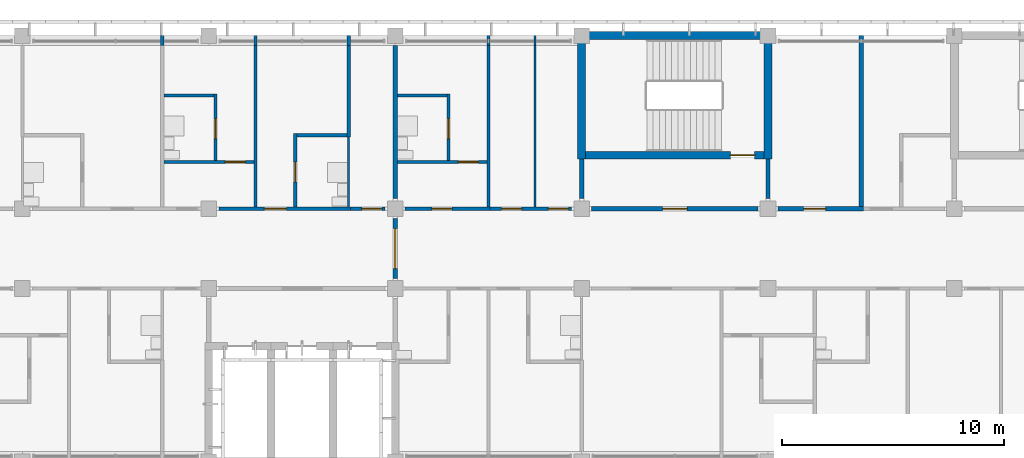
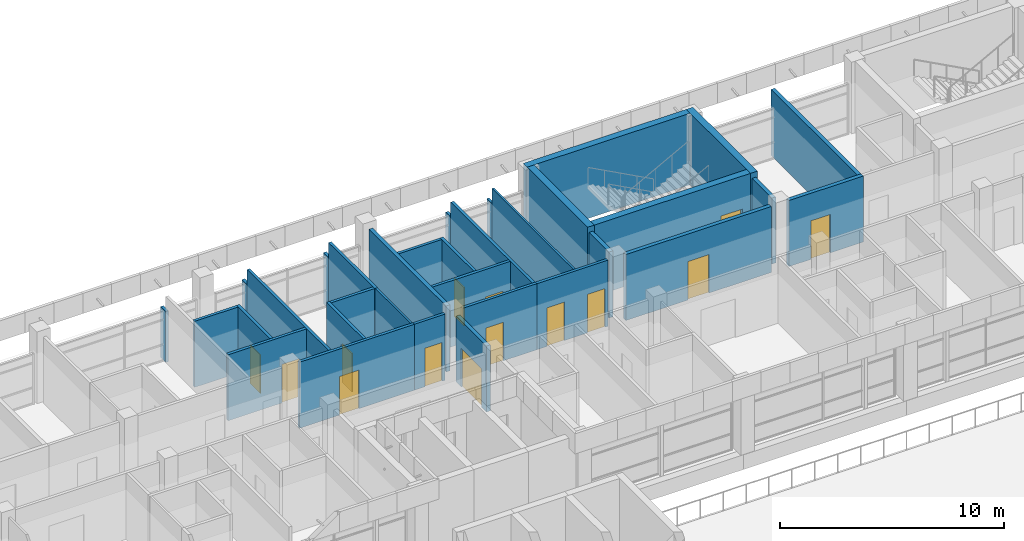
# One storey, part 21 of 46: 33 walls, 14 doors, 14 openings.
"""IFC4 building model written with IfcOpenShell, lengths in metres."""

import ifcopenshell
import ifcopenshell.guid

model = None  # the IFC model being written
_history = None  # IfcOwnerHistory: only IFC2X3 demands one
_inside = {}  # id of a spatial element -> (the spatial element, [elements in it])
_under = {}  # id of a project, library or spatial element -> (it, [spatial elements below it])
_declared = {}  # id of a project -> (the project, [libraries it declares])
_typed = {}  # id of a type object -> (the type object, [elements of that type])
_made_of = {}  # id of a material, layer set ... -> (it, [elements and type objects made of it])


def new_model(schema):
    """Start an empty IFC model of exactly this schema.

    Asked for "IFC4X3", IfcOpenShell would pick the latest addendum, in which some entities
    have other attributes; the version numbers below select the first issue.
    IFC2X3 requires an IfcOwnerHistory on every rooted entity: one is made here for all.
    """
    global model, _history
    if schema == "IFC4X3":
        model = ifcopenshell.file(schema_version=(4, 3, 0, 0))
    else:
        model = ifcopenshell.file(schema=schema)
    _inside.clear()
    _under.clear()
    _declared.clear()
    _typed.clear()
    _made_of.clear()
    _history = None
    if model.schema == "IFC2X3":
        org = make("IfcOrganization", Name="unknown")
        user = make(
            "IfcPersonAndOrganization",
            ThePerson=make("IfcPerson", FamilyName="unknown"),
            TheOrganization=org,
        )
        app = make(
            "IfcApplication",
            ApplicationDeveloper=org,
            Version="unknown",
            ApplicationFullName="unknown",
            ApplicationIdentifier="unknown",
        )
        _history = make(
            "IfcOwnerHistory",
            OwningUser=user,
            OwningApplication=app,
            ChangeAction="ADDED",
            CreationDate=0,
        )
    return model


def make(cls, **values):
    """One entity of the class cls with the attributes given. An attribute that is None is left unset."""
    return model.create_entity(
        cls, **{name: value for name, value in values.items() if value is not None}
    )


def rooted(cls, **values):
    """An entity with a GlobalId (a new one), such as an element, a storey or a relation."""
    return make(cls, GlobalId=ifcopenshell.guid.new(), OwnerHistory=_history, **values)


def si_unit(unit_type, name, prefix=None):
    """IfcSIUnit, for example si_unit("LENGTHUNIT", "METRE", prefix="MILLI")."""
    return make("IfcSIUnit", UnitType=unit_type, Prefix=prefix, Name=name)


def assignment(units):
    """IfcUnitAssignment: the units of a project."""
    return None if units is None else make("IfcUnitAssignment", Units=units)


def point(xyz):
    """IfcCartesianPoint."""
    return None if xyz is None else make("IfcCartesianPoint", Coordinates=xyz)


def direction(xyz):
    """IfcDirection."""
    return None if xyz is None else make("IfcDirection", DirectionRatios=xyz)


def frame(location, z_axis=None, x_axis=None):
    """IfcAxis2Placement3D, a coordinate frame: its origin and axes. An axis left out is left unset."""
    return make(
        "IfcAxis2Placement3D",
        Location=point(location),
        Axis=direction(z_axis),
        RefDirection=direction(x_axis),
    )


def frame_2d(location, x_axis=None):
    """IfcAxis2Placement2D, a coordinate frame in the plane: its origin and x axis."""
    return make(
        "IfcAxis2Placement2D", Location=point(location), RefDirection=direction(x_axis)
    )


def origin():
    """The frame at (0, 0, 0) with its axes left unset."""
    return frame((0.0, 0.0, 0.0))


def place(relative_to, where):
    """IfcLocalPlacement: puts the frame where relative to a parent placement (None: the world)."""
    return make(
        "IfcLocalPlacement", PlacementRelTo=relative_to, RelativePlacement=where
    )


def context(
    kind, dimensions, precision=None, world=None, true_north=None, identifier=None
):
    """IfcGeometricRepresentationContext, for example the 3D "Model" context."""
    return make(
        "IfcGeometricRepresentationContext",
        ContextIdentifier=identifier,
        ContextType=kind,
        CoordinateSpaceDimension=dimensions,
        Precision=precision,
        WorldCoordinateSystem=world,
        TrueNorth=true_north,
    )


def subcontext(parent, identifier, kind, view, scale=None):
    """IfcGeometricRepresentationSubContext, for example "Body" below "Model"."""
    return make(
        "IfcGeometricRepresentationSubContext",
        ContextIdentifier=identifier,
        ContextType=kind,
        ParentContext=parent,
        TargetScale=scale,
        TargetView=view,
    )


def project(units=None, contexts=None):
    """IfcProject with its units and contexts."""
    return rooted(
        "IfcProject",
        Name="project",
        RepresentationContexts=contexts,
        UnitsInContext=assignment(units),
    )


def spatial(cls, under=None, at=None, **own):
    """A site, building, storey or space (cls), placed at a placement, below another one or the project."""
    s = rooted(cls, ObjectPlacement=at, **own)
    if under is not None:
        _under.setdefault(under.id(), (under, []))[1].append(s)
    return s


def profile(cls, at=None, kind="AREA", **sizes):
    """A parametric profile (cls). Its sizes go by their IFC names, for example OverallWidth=200.0."""
    return make(cls, ProfileType=kind, Position=at, **sizes)


def rectangle(**sizes):
    """IfcRectangleProfileDef."""
    return profile("IfcRectangleProfileDef", **sizes)


def extrude(swept, where, along, depth):
    """IfcExtrudedAreaSolid: the profile swept, set in the frame where, extruded along a direction by depth."""
    return make(
        "IfcExtrudedAreaSolid",
        SweptArea=swept,
        Position=where,
        ExtrudedDirection=direction(along),
        Depth=depth,
    )


def shape(context_of_items, identifier, shape_type, items):
    """IfcShapeRepresentation: the items that make up one representation, for example the "Body"."""
    return make(
        "IfcShapeRepresentation",
        ContextOfItems=context_of_items,
        RepresentationIdentifier=identifier,
        RepresentationType=shape_type,
        Items=items,
    )


def material(Name=None, Category=None):
    """IfcMaterial."""
    return make("IfcMaterial", Name=Name, Category=Category)


def layer(
    of_material, thickness, ventilated=None, Name=None, Category=None, Priority=None
):
    """IfcMaterialLayer: one layer of a wall or slab, of a material (None: an air gap)."""
    return make(
        "IfcMaterialLayer",
        Material=of_material,
        LayerThickness=thickness,
        IsVentilated=ventilated,
        Name=Name,
        Category=Category,
        Priority=Priority,
    )


def layer_set(layers, Name=None):
    """IfcMaterialLayerSet."""
    return make("IfcMaterialLayerSet", MaterialLayers=layers, LayerSetName=Name)


def made_of(thing, what):
    """Note that an element or type object is made of a material, layer set ...; save() writes the relation."""
    if what is not None:
        _made_of.setdefault(what.id(), (what, []))[1].append(thing)
    return thing


def type_object(cls, material=None, **own):
    """A type object (cls), such as IfcWallType, which elements share."""
    return made_of(rooted(cls, **own), material)


def element(
    cls,
    number,
    at=None,
    inside=None,
    cuts=None,
    type_object=None,
    material=None,
    context=None,
    identifier="Body",
    shape_type=None,
    held_by="IfcProductDefinitionShape",
    body=None,
    shapes=None,
    **own,
):
    """One element of the class cls, such as IfcWall. Its Tag is "e" and its number.

    at: its placement. inside: the storey or other place that contains it. cuts: it is an
    opening in that element (IfcRelVoidsElement). A single representation is given by context,
    identifier, shape_type and body (its items); several are given by shapes. held_by: the class
    of the entity that holds the representations. save() writes the other relations.
    """
    e = rooted(cls, Tag="e%d" % number, ObjectPlacement=at, **own)
    if body is not None:
        shapes = [shape(context, identifier, shape_type, body)]
    if shapes is not None:
        e.Representation = make(held_by, Representations=shapes)
    if inside is not None:
        _inside.setdefault(inside.id(), (inside, []))[1].append(e)
    if cuts is not None:
        rooted(
            "IfcRelVoidsElement", RelatingBuildingElement=cuts, RelatedOpeningElement=e
        )
    if type_object is not None:
        _typed.setdefault(type_object.id(), (type_object, []))[1].append(e)
    return made_of(e, material)


def fill(opening, filler):
    """IfcRelFillsElement: the door or window that sits in an opening."""
    return rooted(
        "IfcRelFillsElement",
        RelatingOpeningElement=opening,
        RelatedBuildingElement=filler,
    )


def aggregate(whole, parts):
    """IfcRelAggregates: a whole, such as a stair, and the parts it consists of."""
    return rooted("IfcRelAggregates", RelatingObject=whole, RelatedObjects=parts)


def save(model, path):
    """Write the relations noted so far, then the file.

    IfcRelAggregates (storeys below a building ...), IfcRelContainedInSpatialStructure (elements
    in a storey), IfcRelDefinesByType, IfcRelAssociatesMaterial and IfcRelDeclares: one each for
    every whole, place, type object, material and project.
    """
    for whole, parts in _under.values():
        aggregate(whole, parts)
    for where, things in _inside.values():
        rooted(
            "IfcRelContainedInSpatialStructure",
            RelatedElements=things,
            RelatingStructure=where,
        )
    for kind, things in _typed.values():
        rooted("IfcRelDefinesByType", RelatedObjects=things, RelatingType=kind)
    for what, things in _made_of.values():
        rooted("IfcRelAssociatesMaterial", RelatedObjects=things, RelatingMaterial=what)
    for by, libraries in _declared.values():
        rooted("IfcRelDeclares", RelatingContext=by, RelatedDefinitions=libraries)
    model.write(path)


model = new_model("IFC4")

# Units and contexts
model_context = context("Model", 3, precision=1e-05, world=origin(), true_north=direction((0.0, 1.0)))
body_context = subcontext(model_context, "Body", "Model", "MODEL_VIEW")
ifc_project = project(units=[si_unit("LENGTHUNIT", "METRE"), si_unit("AREAUNIT", "SQUARE_METRE"), si_unit("VOLUMEUNIT", "CUBIC_METRE"), si_unit("PLANEANGLEUNIT", "RADIAN"), si_unit("MASSUNIT", "GRAM", prefix="KILO")], contexts=[model_context])

# Site, building, storey
site_placement = place(None, origin())
site = spatial("IfcSite", under=ifc_project, at=site_placement, CompositionType="ELEMENT")
building_placement = place(site_placement, origin())
building = spatial("IfcBuilding", under=site, at=building_placement, Name="Bougainvillea Quay General Hospital", CompositionType="ELEMENT")
storey_placement = place(building_placement, frame((0.0, 0.0, 28.800048828125)))
storey = spatial("IfcBuildingStorey", under=building, at=storey_placement, Name="L06", CompositionType="ELEMENT", Elevation=28.800048828125)

# Walls
ifc_material_1 = material(Name="Gypsum board partition on steel studs", Category="steel")
ifc_layer_1 = layer(ifc_material_1, 0.10009765625)
ifc_layer_set_1 = layer_set([ifc_layer_1], Name="Gypsum board partition on steel studs")
wall_type_1 = type_object("IfcWallType", Name="Partition 100 Gypsum board partition", PredefinedType="PARTITIONING", material=ifc_layer_set_1)
wall_1_placement = place(storey_placement, frame((81.89990234375, 151.875, 0.0), z_axis=(0.0, 0.0, 1.0), x_axis=(0.0, 1.0, 0.0)))
element("IfcWall", 1, at=wall_1_placement, inside=storey, type_object=wall_type_1, Name="Partition 100 mm", PredefinedType="PARTITIONING", context=body_context, shape_type="SweptSolid", body=[
    extrude(rectangle(XDim=7.27490234375, YDim=0.10009765625, at=frame_2d((3.637451171875, 0.0))), origin(), (0.0, 0.0, 1.0), 3.599853515625),
])
wall_2_placement = place(storey_placement, frame((81.89990234375, 159.14990234375, 0.0), z_axis=(0.0, 0.0, 1.0), x_axis=(0.0, 1.0, 0.0)))
element("IfcWall", 2, at=wall_2_placement, inside=storey, type_object=wall_type_1, Name="Partition 100 mm", PredefinedType="PARTITIONING", context=body_context, shape_type="SweptSolid", body=[
    extrude(rectangle(XDim=0.4501953125, YDim=0.10009765625, at=frame_2d((0.22509765625, 0.0))), origin(), (0.0, 0.0, 1.0), 2.780029296875),
])
wall_3_placement = place(storey_placement, frame((73.5, 151.875, 0.0), z_axis=(0.0, 0.0, 1.0), x_axis=(0.0, 1.0, 0.0)))
element("IfcWall", 3, at=wall_3_placement, inside=storey, type_object=wall_type_1, Name="Partition 100 mm", PredefinedType="PARTITIONING", context=body_context, shape_type="SweptSolid", body=[
    extrude(rectangle(XDim=3.14990234375, YDim=0.10009765625, at=frame_2d((1.574951171875, 0.0))), origin(), (0.0, 0.0, 1.0), 3.599853515625),
])
ifc_material_2 = material(Name="Gypsum board partition on steel studs, insulated", Category="steel")
ifc_layer_2 = layer(ifc_material_2, 0.14990234375)
ifc_layer_set_2 = layer_set([ifc_layer_2], Name="Gypsum board partition on steel studs, insulated")
wall_type_2 = type_object("IfcWallType", Name="Partition 150 Gypsum board partition", PredefinedType="PARTITIONING", material=ifc_layer_set_2)
wall_4_placement = place(storey_placement, frame((65.10009765625, 159.60009765625, 0.0), z_axis=(0.0, 0.0, 1.0), x_axis=(0.0, -1.0, 0.0)))
element("IfcWall", 4, at=wall_4_placement, inside=storey, type_object=wall_type_2, Name="Partition 150 mm", PredefinedType="PARTITIONING", context=body_context, shape_type="SweptSolid", body=[
    extrude(rectangle(XDim=0.4501953125, YDim=0.14990234375, at=frame_2d((0.22509765625, 0.0))), origin(), (0.0, 0.0, 1.0), 2.780029296875),
])
wall_5_placement = place(storey_placement, frame((69.300048828125, 151.875, 0.0), z_axis=(0.0, 0.0, 1.0), x_axis=(0.0, 1.0, 0.0)))
element("IfcWall", 5, at=wall_5_placement, inside=storey, type_object=wall_type_2, Name="Partition 150 mm", PredefinedType="PARTITIONING", context=body_context, shape_type="SweptSolid", body=[
    extrude(rectangle(XDim=7.27490234375, YDim=0.14990234375, at=frame_2d((3.637451171875, 0.0))), origin(), (0.0, 0.0, 1.0), 3.599853515625),
])
wall_6_placement = place(storey_placement, frame((69.300048828125, 159.14990234375, 0.0), z_axis=(0.0, 0.0, 1.0), x_axis=(0.0, 1.0, 0.0)))
element("IfcWall", 6, at=wall_6_placement, inside=storey, type_object=wall_type_2, Name="Partition 150 mm", PredefinedType="PARTITIONING", context=body_context, shape_type="SweptSolid", body=[
    extrude(rectangle(XDim=0.4501953125, YDim=0.14990234375, at=frame_2d((0.22509765625, 0.0))), origin(), (0.0, 0.0, 1.0), 2.780029296875),
])
wall_7_placement = place(storey_placement, frame((79.800048828125, 151.875, 0.0), z_axis=(0.0, 0.0, 1.0), x_axis=(0.0, 1.0, 0.0)))
element("IfcWall", 7, at=wall_7_placement, inside=storey, type_object=wall_type_2, Name="Partition 150 mm", PredefinedType="PARTITIONING", context=body_context, shape_type="SweptSolid", body=[
    extrude(rectangle(XDim=7.27490234375, YDim=0.14990234375, at=frame_2d((3.637451171875, 0.0))), origin(), (0.0, 0.0, 1.0), 3.599853515625),
])
wall_8_placement = place(storey_placement, frame((79.800048828125, 159.14990234375, 0.0), z_axis=(0.0, 0.0, 1.0), x_axis=(0.0, 1.0, 0.0)))
element("IfcWall", 8, at=wall_8_placement, inside=storey, type_object=wall_type_2, Name="Partition 150 mm", PredefinedType="PARTITIONING", context=body_context, shape_type="SweptSolid", body=[
    extrude(rectangle(XDim=0.4501953125, YDim=0.14990234375, at=frame_2d((0.22509765625, 0.0))), origin(), (0.0, 0.0, 1.0), 2.780029296875),
])
wall_9_placement = place(storey_placement, frame((73.5, 155.02490234375, 0.0), z_axis=(0.0, 0.0, 1.0), x_axis=(0.0, 1.0, 0.0)))
element("IfcWall", 9, at=wall_9_placement, inside=storey, type_object=wall_type_2, Name="Partition 150 mm", PredefinedType="PARTITIONING", context=body_context, shape_type="SweptSolid", body=[
    extrude(rectangle(XDim=4.125, YDim=0.14990234375, at=frame_2d((2.0625, 0.0))), origin(), (0.0, 0.0, 1.0), 3.599853515625),
])
wall_10_placement = place(storey_placement, frame((73.5, 159.14990234375, 0.0), z_axis=(0.0, 0.0, 1.0), x_axis=(0.0, 1.0, 0.0)))
element("IfcWall", 10, at=wall_10_placement, inside=storey, type_object=wall_type_2, Name="Partition 150 mm", PredefinedType="PARTITIONING", context=body_context, shape_type="SweptSolid", body=[
    extrude(rectangle(XDim=0.4501953125, YDim=0.14990234375, at=frame_2d((0.22509765625, 0.0))), origin(), (0.0, 0.0, 1.0), 2.780029296875),
])

# Wall, opening, door
wall_11_placement = place(storey_placement, frame((65.175048828125, 153.89990234375, 0.0), z_axis=(0.0, 0.0, 1.0), x_axis=(1.0, 0.0, 0.0)))
wall_11 = element("IfcWall", 11, at=wall_11_placement, inside=storey, type_object=wall_type_2, Name="Partition 150 mm", PredefinedType="PARTITIONING", context=body_context, shape_type="SweptSolid", body=[
    extrude(rectangle(XDim=4.050048828125, YDim=0.14990234375, at=frame_2d((2.02490234375, 0.0))), origin(), (0.0, 0.0, 1.0), 3.599853515625),
])
opening_1_placement = place(wall_11_placement, frame((2.77490234375, 0.0, 0.0)))
opening_1 = element("IfcOpeningElement", 12, at=opening_1_placement, cuts=wall_11, Name="Opening L06.019", PredefinedType="OPENING", context=body_context, shape_type="SweptSolid", body=[
    extrude(rectangle(XDim=0.89990234375, YDim=2.10009765625, at=frame_2d((0.449951171875, 1.050048828125))), frame((0.0, 0.0849609375, 0.0), z_axis=(0.0, -1.0, 0.0), x_axis=(1.0, 0.0, 0.0)), (0.0, 0.0, 1.0), 0.169921875),
])
ifc_material_3 = material(Name="Solid-core timber door leaf in steel frame", Category="steel")
door_type_1 = type_object("IfcDoorType", Name="Single leaf door 900x2100 FD30S", OperationType="NOTDEFINED", PredefinedType="DOOR", material=ifc_material_3)
door_1_placement = place(opening_1_placement, origin())
door_1 = element("IfcDoor", 13, at=door_1_placement, inside=storey, type_object=door_type_1, Name="DT16 L06.019", OperationType="SINGLE_SWING_RIGHT", OverallHeight=2.10009765625, OverallWidth=0.89990234375, PredefinedType="DOOR", context=body_context, shape_type="SweptSolid", body=[
    extrude(rectangle(XDim=0.89990234375, YDim=2.10009765625, at=frame_2d((0.449951171875, 1.050048828125))), frame((0.0, 0.02490234375, 0.0), z_axis=(0.0, -1.0, 0.0), x_axis=(1.0, 0.0, 0.0)), (0.0, 0.0, 1.0), 0.050048828125),
])
fill(opening_1, door_1)

wall_12_placement = place(storey_placement, frame((75.699951171875, 153.89990234375, 0.0), z_axis=(0.0, 0.0, 1.0), x_axis=(1.0, 0.0, 0.0)))
wall_12 = element("IfcWall", 14, at=wall_12_placement, inside=storey, type_object=wall_type_2, Name="Partition 150 mm", PredefinedType="PARTITIONING", context=body_context, shape_type="SweptSolid", body=[
    extrude(rectangle(XDim=4.025146484375, YDim=0.14990234375, at=frame_2d((2.0126953125, 0.0))), origin(), (0.0, 0.0, 1.0), 3.599853515625),
])
opening_2_placement = place(wall_12_placement, frame((2.75, 0.0, 0.0)))
opening_2 = element("IfcOpeningElement", 15, at=opening_2_placement, cuts=wall_12, Name="Opening L06.038", PredefinedType="OPENING", context=body_context, shape_type="SweptSolid", body=[
    extrude(rectangle(XDim=0.89990234375, YDim=2.10009765625, at=frame_2d((0.449951171875, 1.050048828125))), frame((0.0, 0.0849609375, 0.0), z_axis=(0.0, -1.0, 0.0), x_axis=(1.0, 0.0, 0.0)), (0.0, 0.0, 1.0), 0.169921875),
])
door_2_placement = place(opening_2_placement, origin())
door_2 = element("IfcDoor", 16, at=door_2_placement, inside=storey, type_object=door_type_1, Name="DT16 L06.038", OperationType="SINGLE_SWING_RIGHT", OverallHeight=2.10009765625, OverallWidth=0.89990234375, PredefinedType="DOOR", context=body_context, shape_type="SweptSolid", body=[
    extrude(rectangle(XDim=0.89990234375, YDim=2.10009765625, at=frame_2d((0.449951171875, 1.050048828125))), frame((0.0, 0.02490234375, 0.0), z_axis=(0.0, -1.0, 0.0), x_axis=(1.0, 0.0, 0.0)), (0.0, 0.0, 1.0), 0.050048828125),
])
fill(opening_2, door_2)

wall_13_placement = place(storey_placement, frame((71.10009765625, 151.875, 0.0), z_axis=(0.0, 0.0, 1.0), x_axis=(0.0, 1.0, 0.0)))
wall_13 = element("IfcWall", 17, at=wall_13_placement, inside=storey, type_object=wall_type_2, Name="Partition 150 mm", PredefinedType="PARTITIONING", context=body_context, shape_type="SweptSolid", body=[
    extrude(rectangle(XDim=3.300048828125, YDim=0.14990234375, at=frame_2d((1.64990234375, 0.0))), origin(), (0.0, 0.0, 1.0), 3.599853515625),
])
opening_3_placement = place(wall_13_placement, frame((1.125, 0.0, 0.0)))
opening_3 = element("IfcOpeningElement", 18, at=opening_3_placement, cuts=wall_13, Name="Opening L06.022", PredefinedType="OPENING", context=body_context, shape_type="SweptSolid", body=[
    extrude(rectangle(XDim=0.89990234375, YDim=2.10009765625, at=frame_2d((0.449951171875, 1.050048828125))), frame((0.0, 0.0849609375, 0.0), z_axis=(0.0, -1.0, 0.0), x_axis=(1.0, 0.0, 0.0)), (0.0, 0.0, 1.0), 0.169921875),
])
door_type_2 = type_object("IfcDoorType", Name="Single leaf door 900x2100", OperationType="NOTDEFINED", PredefinedType="DOOR", material=ifc_material_3)
door_3_placement = place(opening_3_placement, frame((0.89990234375, 0.0, 0.0), z_axis=(0.0, 0.0, 1.0), x_axis=(-1.0, 0.0, 0.0)))
door_3 = element("IfcDoor", 19, at=door_3_placement, inside=storey, type_object=door_type_2, Name="DT07 L06.022", OperationType="SINGLE_SWING_RIGHT", OverallHeight=2.10009765625, OverallWidth=0.89990234375, PredefinedType="DOOR", context=body_context, shape_type="SweptSolid", body=[
    extrude(rectangle(XDim=0.89990234375, YDim=2.10009765625, at=frame_2d((0.449951171875, 1.050048828125))), frame((0.0, 0.02490234375, 0.0), z_axis=(0.0, -1.0, 0.0), x_axis=(1.0, 0.0, 0.0)), (0.0, 0.0, 1.0), 0.050048828125),
])
fill(opening_3, door_3)

wall_14_placement = place(storey_placement, frame((67.5, 153.97509765625, 0.0), z_axis=(0.0, 0.0, 1.0), x_axis=(0.0, 1.0, 0.0)))
wall_14 = element("IfcWall", 20, at=wall_14_placement, inside=storey, type_object=wall_type_2, Name="Partition 150 mm", PredefinedType="PARTITIONING", context=body_context, shape_type="SweptSolid", body=[
    extrude(rectangle(XDim=3.0, YDim=0.14990234375, at=frame_2d((1.5, 0.0))), origin(), (0.0, 0.0, 1.0), 3.599853515625),
])
opening_4_placement = place(wall_14_placement, frame((0.97509765625, 0.0, 0.0)))
opening_4 = element("IfcOpeningElement", 21, at=opening_4_placement, cuts=wall_14, Name="Opening L06.020", PredefinedType="OPENING", context=body_context, shape_type="SweptSolid", body=[
    extrude(rectangle(XDim=0.89990234375, YDim=2.10009765625, at=frame_2d((0.449951171875, 1.050048828125))), frame((0.0, 0.0849609375, 0.0), z_axis=(0.0, -1.0, 0.0), x_axis=(1.0, 0.0, 0.0)), (0.0, 0.0, 1.0), 0.169921875),
])
door_4_placement = place(opening_4_placement, origin())
door_4 = element("IfcDoor", 22, at=door_4_placement, inside=storey, type_object=door_type_2, Name="DT07 L06.020", OperationType="SINGLE_SWING_LEFT", OverallHeight=2.10009765625, OverallWidth=0.89990234375, PredefinedType="DOOR", context=body_context, shape_type="SweptSolid", body=[
    extrude(rectangle(XDim=0.89990234375, YDim=2.10009765625, at=frame_2d((0.449951171875, 1.050048828125))), frame((0.0, 0.02490234375, 0.0), z_axis=(0.0, -1.0, 0.0), x_axis=(1.0, 0.0, 0.0)), (0.0, 0.0, 1.0), 0.050048828125),
])
fill(opening_4, door_4)

wall_15_placement = place(storey_placement, frame((78.0, 153.97509765625, 0.0), z_axis=(0.0, 0.0, 1.0), x_axis=(0.0, 1.0, 0.0)))
wall_15 = element("IfcWall", 23, at=wall_15_placement, inside=storey, type_object=wall_type_2, Name="Partition 150 mm", PredefinedType="PARTITIONING", context=body_context, shape_type="SweptSolid", body=[
    extrude(rectangle(XDim=3.0, YDim=0.14990234375, at=frame_2d((1.5, 0.0))), origin(), (0.0, 0.0, 1.0), 3.599853515625),
])
opening_5_placement = place(wall_15_placement, frame((0.97509765625, 0.0, 0.0)))
opening_5 = element("IfcOpeningElement", 24, at=opening_5_placement, cuts=wall_15, Name="Opening L06.039", PredefinedType="OPENING", context=body_context, shape_type="SweptSolid", body=[
    extrude(rectangle(XDim=0.89990234375, YDim=2.10009765625, at=frame_2d((0.449951171875, 1.050048828125))), frame((0.0, 0.0849609375, 0.0), z_axis=(0.0, -1.0, 0.0), x_axis=(1.0, 0.0, 0.0)), (0.0, 0.0, 1.0), 0.169921875),
])
door_5_placement = place(opening_5_placement, origin())
door_5 = element("IfcDoor", 25, at=door_5_placement, inside=storey, type_object=door_type_2, Name="DT07 L06.039", OperationType="SINGLE_SWING_LEFT", OverallHeight=2.10009765625, OverallWidth=0.89990234375, PredefinedType="DOOR", context=body_context, shape_type="SweptSolid", body=[
    extrude(rectangle(XDim=0.89990234375, YDim=2.10009765625, at=frame_2d((0.449951171875, 1.050048828125))), frame((0.0, 0.02490234375, 0.0), z_axis=(0.0, -1.0, 0.0), x_axis=(1.0, 0.0, 0.0)), (0.0, 0.0, 1.0), 0.050048828125),
])
fill(opening_5, door_5)

# Walls
for number, where, z_axis, x_axis, name in (
    (26, (65.175048828125, 156.89990234375, 0.0), (0.0, 0.0, 1.0), (1.0, 0.0, 0.0), "Partition 150 mm"),
    (27, (71.175048828125, 155.10009765625, 0.0), (0.0, 0.0, 1.0), (1.0, 0.0, 0.0), "Partition 150 mm"),
):
    element("IfcWall", number, at=place(storey_placement, frame(where, z_axis=z_axis, x_axis=x_axis)), inside=storey, type_object=wall_type_2, Name=name, PredefinedType="PARTITIONING", context=body_context, shape_type="SweptSolid", body=[
        extrude(rectangle(XDim=2.25, YDim=0.14990234375, at=frame_2d((1.125, 0.0))), origin(), (0.0, 0.0, 1.0), 3.599853515625),
    ])
wall_16_placement = place(storey_placement, frame((75.699951171875, 156.89990234375, 0.0), z_axis=(0.0, 0.0, 1.0), x_axis=(1.0, 0.0, 0.0)))
element("IfcWall", 28, at=wall_16_placement, inside=storey, type_object=wall_type_2, Name="Partition 150 mm", PredefinedType="PARTITIONING", context=body_context, shape_type="SweptSolid", body=[
    extrude(rectangle(XDim=2.22509765625, YDim=0.14990234375, at=frame_2d((1.112548828125, 0.0))), origin(), (0.0, 0.0, 1.0), 3.599853515625),
])

# Wall, opening, door
ifc_layer_3 = layer(ifc_material_2, 0.14990234375)
ifc_layer_set_3 = layer_set([ifc_layer_3], Name="Gypsum board partition on steel studs, insulated")
wall_type_3 = type_object("IfcWallType", Name="Partition 150 Gypsum board partition EI 30", PredefinedType="PARTITIONING", material=ifc_layer_set_3)
wall_17_placement = place(storey_placement, frame((73.574951171875, 151.800048828125, 0.0), z_axis=(0.0, 0.0, 1.0), x_axis=(-1.0, 0.0, 0.0)))
wall_17 = element("IfcWall", 29, at=wall_17_placement, inside=storey, type_object=wall_type_3, Name="Partition 150 mm EI 30", PredefinedType="PARTITIONING", context=body_context, shape_type="SweptSolid", body=[
    extrude(rectangle(XDim=5.925048828125, YDim=0.14990234375, at=frame_2d((2.96240234375, 0.0))), origin(), (0.0, 0.0, 1.0), 3.599853515625),
])
opening_6_placement = place(wall_17_placement, frame((2.875, 0.0, 0.0)))
opening_6 = element("IfcOpeningElement", 30, at=opening_6_placement, cuts=wall_17, Name="Opening L06.021", PredefinedType="OPENING", context=body_context, shape_type="SweptSolid", body=[
    extrude(rectangle(XDim=1.0, YDim=2.10009765625, at=frame_2d((0.5, 1.050048828125))), frame((0.0, 0.0849609375, 0.0), z_axis=(0.0, -1.0, 0.0), x_axis=(1.0, 0.0, 0.0)), (0.0, 0.0, 1.0), 0.169921875),
])
door_type_3 = type_object("IfcDoorType", Name="Single leaf door 1000x2100 FD30S", OperationType="NOTDEFINED", PredefinedType="DOOR", material=ifc_material_3)
door_6_placement = place(opening_6_placement, frame((1.0, 0.0, 0.0), z_axis=(0.0, 0.0, 1.0), x_axis=(-1.0, 0.0, 0.0)))
door_6 = element("IfcDoor", 31, at=door_6_placement, inside=storey, type_object=door_type_3, Name="DT15 L06.021", OperationType="SINGLE_SWING_LEFT", OverallHeight=2.10009765625, OverallWidth=1.0, PredefinedType="DOOR", context=body_context, shape_type="SweptSolid", body=[
    extrude(rectangle(XDim=1.0, YDim=2.10009765625, at=frame_2d((0.5, 1.050048828125))), frame((0.0, 0.02490234375, 0.0), z_axis=(0.0, -1.0, 0.0), x_axis=(1.0, 0.0, 0.0)), (0.0, 0.0, 1.0), 0.050048828125),
])
fill(opening_6, door_6)

wall_18_placement = place(storey_placement, frame((76.050048828125, 151.800048828125, 0.0), z_axis=(0.0, 0.0, 1.0), x_axis=(1.0, 0.0, 0.0)))
wall_18 = element("IfcWall", 32, at=wall_18_placement, inside=storey, type_object=wall_type_3, Name="Partition 150 mm EI 30", PredefinedType="PARTITIONING", context=body_context, shape_type="SweptSolid", body=[
    extrude(rectangle(XDim=3.824951171875, YDim=0.14990234375, at=frame_2d((1.91259765625, 0.0))), origin(), (0.0, 0.0, 1.0), 3.599853515625),
])
opening_7_placement = place(wall_18_placement, frame((1.199951171875, 0.0, 0.0)))
opening_7 = element("IfcOpeningElement", 33, at=opening_7_placement, cuts=wall_18, Name="Opening L06.037", PredefinedType="OPENING", context=body_context, shape_type="SweptSolid", body=[
    extrude(rectangle(XDim=0.89990234375, YDim=2.10009765625, at=frame_2d((0.449951171875, 1.050048828125))), frame((0.0, 0.0849609375, 0.0), z_axis=(0.0, -1.0, 0.0), x_axis=(1.0, 0.0, 0.0)), (0.0, 0.0, 1.0), 0.169921875),
])
door_7_placement = place(opening_7_placement, origin())
door_7 = element("IfcDoor", 34, at=door_7_placement, inside=storey, type_object=door_type_1, Name="DT16 L06.037", OperationType="SINGLE_SWING_LEFT", OverallHeight=2.10009765625, OverallWidth=0.89990234375, PredefinedType="DOOR", context=body_context, shape_type="SweptSolid", body=[
    extrude(rectangle(XDim=0.89990234375, YDim=2.10009765625, at=frame_2d((0.449951171875, 1.050048828125))), frame((0.0, 0.02490234375, 0.0), z_axis=(0.0, -1.0, 0.0), x_axis=(1.0, 0.0, 0.0)), (0.0, 0.0, 1.0), 0.050048828125),
])
fill(opening_7, door_7)

# Wall, openings, doors
ifc_layer_4 = layer(ifc_material_2, 0.14990234375)
ifc_layer_set_4 = layer_set([ifc_layer_4], Name="Gypsum board partition on steel studs, insulated")
wall_type_4 = type_object("IfcWallType", Name="Partition 150 Gypsum board partition EI 60", PredefinedType="PARTITIONING", material=ifc_layer_set_4)
wall_19_placement = place(storey_placement, frame((79.875, 151.800048828125, 0.0), z_axis=(0.0, 0.0, 1.0), x_axis=(1.0, 0.0, 0.0)))
wall_19 = element("IfcWall", 35, at=wall_19_placement, inside=storey, type_object=wall_type_4, Name="Partition 150 mm EI 60", PredefinedType="PARTITIONING", context=body_context, shape_type="SweptSolid", body=[
    extrude(rectangle(XDim=3.675048828125, YDim=0.14990234375, at=frame_2d((1.83740234375, 0.0))), origin(), (0.0, 0.0, 1.0), 3.599853515625),
])
opening_8_placement = place(wall_19_placement, frame((0.52490234375, 0.0, 0.0)))
opening_8 = element("IfcOpeningElement", 36, at=opening_8_placement, cuts=wall_19, Name="Opening L06.040", PredefinedType="OPENING", context=body_context, shape_type="SweptSolid", body=[
    extrude(rectangle(XDim=0.89990234375, YDim=2.10009765625, at=frame_2d((0.449951171875, 1.050048828125))), frame((0.0, 0.0849609375, 0.0), z_axis=(0.0, -1.0, 0.0), x_axis=(1.0, 0.0, 0.0)), (0.0, 0.0, 1.0), 0.169921875),
])
opening_9_placement = place(wall_19_placement, frame((2.625, 0.0, 0.0)))
opening_9 = element("IfcOpeningElement", 37, at=opening_9_placement, cuts=wall_19, Name="Opening L06.041", PredefinedType="OPENING", context=body_context, shape_type="SweptSolid", body=[
    extrude(rectangle(XDim=0.89990234375, YDim=2.10009765625, at=frame_2d((0.449951171875, 1.050048828125))), frame((0.0, 0.0849609375, 0.0), z_axis=(0.0, -1.0, 0.0), x_axis=(1.0, 0.0, 0.0)), (0.0, 0.0, 1.0), 0.169921875),
])
door_type_4 = type_object("IfcDoorType", Name="Single leaf door 900x2100 FD60", OperationType="NOTDEFINED", PredefinedType="DOOR", material=ifc_material_3)
door_8_placement = place(opening_8_placement, origin())
door_8 = element("IfcDoor", 38, at=door_8_placement, inside=storey, type_object=door_type_4, Name="DT18 L06.040", OperationType="SINGLE_SWING_LEFT", OverallHeight=2.10009765625, OverallWidth=0.89990234375, PredefinedType="DOOR", context=body_context, shape_type="SweptSolid", body=[
    extrude(rectangle(XDim=0.89990234375, YDim=2.10009765625, at=frame_2d((0.449951171875, 1.050048828125))), frame((0.0, 0.02490234375, 0.0), z_axis=(0.0, -1.0, 0.0), x_axis=(1.0, 0.0, 0.0)), (0.0, 0.0, 1.0), 0.050048828125),
])
fill(opening_8, door_8)
door_9_placement = place(opening_9_placement, origin())
door_9 = element("IfcDoor", 39, at=door_9_placement, inside=storey, type_object=door_type_4, Name="DT18 L06.041", OperationType="SINGLE_SWING_RIGHT", OverallHeight=2.10009765625, OverallWidth=0.89990234375, PredefinedType="DOOR", context=body_context, shape_type="SweptSolid", body=[
    extrude(rectangle(XDim=0.89990234375, YDim=2.10009765625, at=frame_2d((0.449951171875, 1.050048828125))), frame((0.0, 0.02490234375, 0.0), z_axis=(0.0, -1.0, 0.0), x_axis=(1.0, 0.0, 0.0)), (0.0, 0.0, 1.0), 0.050048828125),
])
fill(opening_9, door_9)

# Wall, opening, door
wall_20_placement = place(storey_placement, frame((73.574951171875, 151.800048828125, 0.0), z_axis=(0.0, 0.0, 1.0), x_axis=(1.0, 0.0, 0.0)))
wall_20 = element("IfcWall", 40, at=wall_20_placement, inside=storey, type_object=wall_type_4, Name="Partition 150 mm EI 60", PredefinedType="PARTITIONING", context=body_context, shape_type="SweptSolid", body=[
    extrude(rectangle(XDim=1.574951171875, YDim=0.14990234375, at=frame_2d((0.78759765625, 0.0))), origin(), (0.0, 0.0, 1.0), 3.599853515625),
])
opening_10_placement = place(wall_20_placement, frame((0.52490234375, 0.0, 0.0)))
opening_10 = element("IfcOpeningElement", 41, at=opening_10_placement, cuts=wall_20, Name="Opening L06.023", PredefinedType="OPENING", context=body_context, shape_type="SweptSolid", body=[
    extrude(rectangle(XDim=0.89990234375, YDim=2.10009765625, at=frame_2d((0.449951171875, 1.050048828125))), frame((0.0, 0.0849609375, 0.0), z_axis=(0.0, -1.0, 0.0), x_axis=(1.0, 0.0, 0.0)), (0.0, 0.0, 1.0), 0.169921875),
])
door_10_placement = place(opening_10_placement, origin())
door_10 = element("IfcDoor", 42, at=door_10_placement, inside=storey, type_object=door_type_4, Name="DT18 L06.023", OperationType="SINGLE_SWING_RIGHT", OverallHeight=2.10009765625, OverallWidth=0.89990234375, PredefinedType="DOOR", context=body_context, shape_type="SweptSolid", body=[
    extrude(rectangle(XDim=0.89990234375, YDim=2.10009765625, at=frame_2d((0.449951171875, 1.050048828125))), frame((0.0, 0.02490234375, 0.0), z_axis=(0.0, -1.0, 0.0), x_axis=(1.0, 0.0, 0.0)), (0.0, 0.0, 1.0), 0.050048828125),
])
fill(opening_10, door_10)

# Wall
ifc_material_4 = material(Name="Fire-rated autoclaved aerated block wall, plastered")
ifc_layer_5 = layer(ifc_material_4, 0.199951171875)
ifc_layer_set_5 = layer_set([ifc_layer_5], Name="Fire-rated autoclaved aerated block wall, plastered")
wall_type_5 = type_object("IfcWallType", Name="Partition 200 Fire-rated autoclaved aerated block wall EI 120", PredefinedType="SOLIDWALL", material=ifc_layer_set_5)
wall_21_placement = place(storey_placement, frame((75.60009765625, 159.14990234375, 0.0), z_axis=(0.0, 0.0, 1.0), x_axis=(0.0, -1.0, 0.0)))
element("IfcWall", 43, at=wall_21_placement, inside=storey, type_object=wall_type_5, Name="Partition 200 mm EI 120", PredefinedType="SOLIDWALL", context=body_context, shape_type="SweptSolid", body=[
    extrude(rectangle(XDim=6.89990234375, YDim=0.199951171875, at=frame_2d((3.449951171875, 0.0))), origin(), (0.0, 0.0, 1.0), 3.599853515625),
])

# Wall, opening, door
wall_22_placement = place(storey_placement, frame((75.60009765625, 151.35009765625, 0.0), z_axis=(0.0, 0.0, 1.0), x_axis=(0.0, -1.0, 0.0)))
wall_22 = element("IfcWall", 44, at=wall_22_placement, inside=storey, type_object=wall_type_5, Name="Partition 200 mm EI 120", PredefinedType="SOLIDWALL", context=body_context, shape_type="SweptSolid", body=[
    extrude(rectangle(XDim=2.7001953125, YDim=0.199951171875, at=frame_2d((1.35009765625, 0.0))), origin(), (0.0, 0.0, 1.0), 3.599853515625),
])
opening_11_placement = place(wall_22_placement, frame((0.449951171875, 0.0, 0.0)))
opening_11 = element("IfcOpeningElement", 45, at=opening_11_placement, cuts=wall_22, Name="Opening L06.001", PredefinedType="OPENING", context=body_context, shape_type="SweptSolid", body=[
    extrude(rectangle(XDim=1.800048828125, YDim=2.10009765625, at=frame_2d((0.89990234375, 1.050048828125))), frame((0.0, 0.10986328125, 0.0), z_axis=(0.0, -1.0, 0.0), x_axis=(1.0, 0.0, 0.0)), (0.0, 0.0, 1.0), 0.219970703125),
])
ifc_material_5 = material(Name="Steel fire door leaves in steel frame", Category="steel")
door_type_5 = type_object("IfcDoorType", Name="Steel double leaf door 1800x2100 FD90", OperationType="DOUBLE_DOOR_SINGLE_SWING", PredefinedType="DOOR", material=ifc_material_5)
door_11_placement = place(opening_11_placement, origin())
door_11 = element("IfcDoor", 46, at=door_11_placement, inside=storey, type_object=door_type_5, Name="DT03 L06.001", OperationType="DOUBLE_DOOR_SINGLE_SWING", OverallHeight=2.10009765625, OverallWidth=1.800048828125, PredefinedType="DOOR", context=body_context, shape_type="SweptSolid", body=[
    extrude(rectangle(XDim=1.800048828125, YDim=2.10009765625, at=frame_2d((0.89990234375, 1.050048828125))), frame((0.0, 0.02490234375, 0.0), z_axis=(0.0, -1.0, 0.0), x_axis=(1.0, 0.0, 0.0)), (0.0, 0.0, 1.0), 0.050048828125),
])
fill(opening_11, door_11)

wall_23_placement = place(storey_placement, frame((84.449951171875, 151.800048828125, 0.0), z_axis=(0.0, 0.0, 1.0), x_axis=(1.0, 0.0, 0.0)))
wall_23 = element("IfcWall", 47, at=wall_23_placement, inside=storey, type_object=wall_type_5, Name="Partition 200 mm EI 120", PredefinedType="SOLIDWALL", context=body_context, shape_type="SweptSolid", body=[
    extrude(rectangle(XDim=7.5, YDim=0.199951171875, at=frame_2d((3.75, 0.0))), origin(), (0.0, 0.0, 1.0), 3.599853515625),
])
opening_12_placement = place(wall_23_placement, frame((3.199951171875, 0.0, 0.0)))
opening_12 = element("IfcOpeningElement", 48, at=opening_12_placement, cuts=wall_23, Name="Opening L06.112", PredefinedType="OPENING", context=body_context, shape_type="SweptSolid", body=[
    extrude(rectangle(XDim=1.10009765625, YDim=2.10009765625, at=frame_2d((0.550048828125, 1.050048828125))), frame((0.0, 0.10986328125, 0.0), z_axis=(0.0, -1.0, 0.0), x_axis=(1.0, 0.0, 0.0)), (0.0, 0.0, 1.0), 0.219970703125),
])
ifc_material_6 = material(Name="Steel fire door leaf in steel frame", Category="steel")
door_type_6 = type_object("IfcDoorType", Name="Steel single leaf door 1100x2100 FD60", OperationType="NOTDEFINED", PredefinedType="DOOR", material=ifc_material_6)
door_12_placement = place(opening_12_placement, origin())
door_12 = element("IfcDoor", 49, at=door_12_placement, inside=storey, type_object=door_type_6, Name="DT04 L06.112", OperationType="SINGLE_SWING_RIGHT", OverallHeight=2.10009765625, OverallWidth=1.10009765625, PredefinedType="DOOR", context=body_context, shape_type="SweptSolid", body=[
    extrude(rectangle(XDim=1.10009765625, YDim=2.10009765625, at=frame_2d((0.550048828125, 1.050048828125))), frame((0.0, 0.02490234375, 0.0), z_axis=(0.0, -1.0, 0.0), x_axis=(1.0, 0.0, 0.0)), (0.0, 0.0, 1.0), 0.050048828125),
])
fill(opening_12, door_12)

wall_24_placement = place(storey_placement, frame((92.85009765625, 151.800048828125, 0.0), z_axis=(0.0, 0.0, 1.0), x_axis=(1.0, 0.0, 0.0)))
wall_24 = element("IfcWall", 50, at=wall_24_placement, inside=storey, type_object=wall_type_5, Name="Partition 200 mm EI 120", PredefinedType="SOLIDWALL", context=body_context, shape_type="SweptSolid", body=[
    extrude(rectangle(XDim=3.849853515625, YDim=0.199951171875, at=frame_2d((1.9248046875, 0.0))), origin(), (0.0, 0.0, 1.0), 3.599853515625),
])
opening_13_placement = place(wall_24_placement, frame((1.14990234375, 0.0, 0.0)))
opening_13 = element("IfcOpeningElement", 51, at=opening_13_placement, cuts=wall_24, Name="Opening L06.102", PredefinedType="OPENING", context=body_context, shape_type="SweptSolid", body=[
    extrude(rectangle(XDim=1.0, YDim=2.10009765625, at=frame_2d((0.5, 1.050048828125))), frame((0.0, 0.10986328125, 0.0), z_axis=(0.0, -1.0, 0.0), x_axis=(1.0, 0.0, 0.0)), (0.0, 0.0, 1.0), 0.219970703125),
])
door_type_7 = type_object("IfcDoorType", Name="Steel single leaf door 1000x2100 FD90", OperationType="NOTDEFINED", PredefinedType="DOOR", material=ifc_material_6)
door_13_placement = place(opening_13_placement, origin())
door_13 = element("IfcDoor", 52, at=door_13_placement, inside=storey, type_object=door_type_7, Name="DT11 L06.102", OperationType="SINGLE_SWING_LEFT", OverallHeight=2.10009765625, OverallWidth=1.0, PredefinedType="DOOR", context=body_context, shape_type="SweptSolid", body=[
    extrude(rectangle(XDim=1.0, YDim=2.10009765625, at=frame_2d((0.5, 1.050048828125))), frame((0.0, 0.02490234375, 0.0), z_axis=(0.0, -1.0, 0.0), x_axis=(1.0, 0.0, 0.0)), (0.0, 0.0, 1.0), 0.050048828125),
])
fill(opening_13, door_13)

# Walls
wall_25_placement = place(storey_placement, frame((92.39990234375, 152.25, 0.0), z_axis=(0.0, 0.0, 1.0), x_axis=(0.0, 1.0, 0.0)))
element("IfcWall", 53, at=wall_25_placement, inside=storey, type_object=wall_type_5, Name="Partition 200 mm EI 120", PredefinedType="SOLIDWALL", context=body_context, shape_type="SweptSolid", body=[
    extrude(rectangle(XDim=1.77490234375, YDim=0.199951171875, at=frame_2d((0.887451171875, 0.0))), origin(), (0.0, 0.0, 1.0), 3.599853515625),
])
wall_26_placement = place(storey_placement, frame((96.60009765625, 151.89990234375, 0.0), z_axis=(0.0, 0.0, 1.0), x_axis=(0.0, 1.0, 0.0)))
element("IfcWall", 54, at=wall_26_placement, inside=storey, type_object=wall_type_5, Name="Partition 200 mm EI 120", PredefinedType="SOLIDWALL", context=body_context, shape_type="SweptSolid", body=[
    extrude(rectangle(XDim=7.7001953125, YDim=0.199951171875, at=frame_2d((3.85009765625, 0.0))), origin(), (0.0, 0.0, 1.0), 3.599853515625),
])
wall_27_placement = place(storey_placement, frame((84.0, 152.25, 0.0), z_axis=(0.0, 0.0, 1.0), x_axis=(0.0, 1.0, 0.0)))
element("IfcWall", 55, at=wall_27_placement, inside=storey, type_object=wall_type_5, Name="Partition 200 mm EI 120", PredefinedType="SOLIDWALL", context=body_context, shape_type="SweptSolid", body=[
    extrude(rectangle(XDim=1.77490234375, YDim=0.199951171875, at=frame_2d((0.887451171875, 0.0))), origin(), (0.0, 0.0, 1.0), 3.599853515625),
])
ifc_material_7 = material(Name="Concrete C40", Category="concrete")
ifc_layer_6 = layer(ifc_material_7, 0.35009765625)
ifc_layer_set_6 = layer_set([ifc_layer_6], Name="Concrete C40")
wall_type_6 = type_object("IfcWallType", Name="RC SHEAR WALL 350 C40", PredefinedType="SHEAR", material=ifc_layer_set_6)
wall_28_placement = place(storey_placement, frame((83.824951171875, 159.60009765625, 0.0), z_axis=(0.0, 0.0, 1.0), x_axis=(1.0, 0.0, 0.0)))
element("IfcWall", 56, at=wall_28_placement, inside=storey, type_object=wall_type_6, Name="Shear wall L06", PredefinedType="SHEAR", context=body_context, shape_type="SweptSolid", body=[
    extrude(rectangle(XDim=8.400146484375, YDim=0.35009765625, at=frame_2d((4.2001953125, 0.0))), origin(), (0.0, 0.0, 1.0), 3.89990234375),
])
wall_29_placement = place(storey_placement, frame((84.0, 154.02490234375, 0.0), z_axis=(0.0, 0.0, 1.0), x_axis=(0.0, 1.0, 0.0)))
element("IfcWall", 57, at=wall_29_placement, inside=storey, type_object=wall_type_6, Name="Shear wall L06", PredefinedType="SHEAR", context=body_context, shape_type="SweptSolid", body=[
    extrude(rectangle(XDim=5.400146484375, YDim=0.35009765625, at=frame_2d((2.7001953125, 0.0))), origin(), (0.0, 0.0, 1.0), 3.89990234375),
])

# Wall, opening, door
wall_30_placement = place(storey_placement, frame((84.175048828125, 154.199951171875, 0.0), z_axis=(0.0, 0.0, 1.0), x_axis=(1.0, 0.0, 0.0)))
wall_30 = element("IfcWall", 58, at=wall_30_placement, inside=storey, type_object=wall_type_6, Name="Shear wall L06", PredefinedType="SHEAR", context=body_context, shape_type="SweptSolid", body=[
    extrude(rectangle(XDim=8.050048828125, YDim=0.35009765625, at=frame_2d((4.02490234375, 0.0))), origin(), (0.0, 0.0, 1.0), 3.89990234375),
])
opening_14_placement = place(wall_30_placement, frame((6.52490234375, 0.0, 0.0)))
opening_14 = element("IfcOpeningElement", 59, at=opening_14_placement, cuts=wall_30, Name="Opening L06.111", PredefinedType="OPENING", context=body_context, shape_type="SweptSolid", body=[
    extrude(rectangle(XDim=1.10009765625, YDim=2.10009765625, at=frame_2d((0.550048828125, 1.050048828125))), frame((0.0, 0.18505859375, 0.0), z_axis=(0.0, -1.0, 0.0), x_axis=(1.0, 0.0, 0.0)), (0.0, 0.0, 1.0), 0.3701171875),
])
door_14_placement = place(opening_14_placement, origin())
door_14 = element("IfcDoor", 60, at=door_14_placement, inside=storey, type_object=door_type_6, Name="DT04 L06.111", OperationType="SINGLE_SWING_RIGHT", OverallHeight=2.10009765625, OverallWidth=1.10009765625, PredefinedType="DOOR", context=body_context, shape_type="SweptSolid", body=[
    extrude(rectangle(XDim=1.10009765625, YDim=2.10009765625, at=frame_2d((0.550048828125, 1.050048828125))), frame((0.0, 0.02490234375, 0.0), z_axis=(0.0, -1.0, 0.0), x_axis=(1.0, 0.0, 0.0)), (0.0, 0.0, 1.0), 0.050048828125),
])
fill(opening_14, door_14)

# Wall
wall_31_placement = place(storey_placement, frame((92.39990234375, 154.02490234375, 0.0), z_axis=(0.0, 0.0, 1.0), x_axis=(0.0, 1.0, 0.0)))
element("IfcWall", 61, at=wall_31_placement, inside=storey, type_object=wall_type_6, Name="Shear wall L06", PredefinedType="SHEAR", context=body_context, shape_type="SweptSolid", body=[
    extrude(rectangle(XDim=5.75, YDim=0.35009765625, at=frame_2d((2.875, 0.0))), origin(), (0.0, 0.0, 1.0), 3.89990234375),
])

save(model, "model.ifc")
